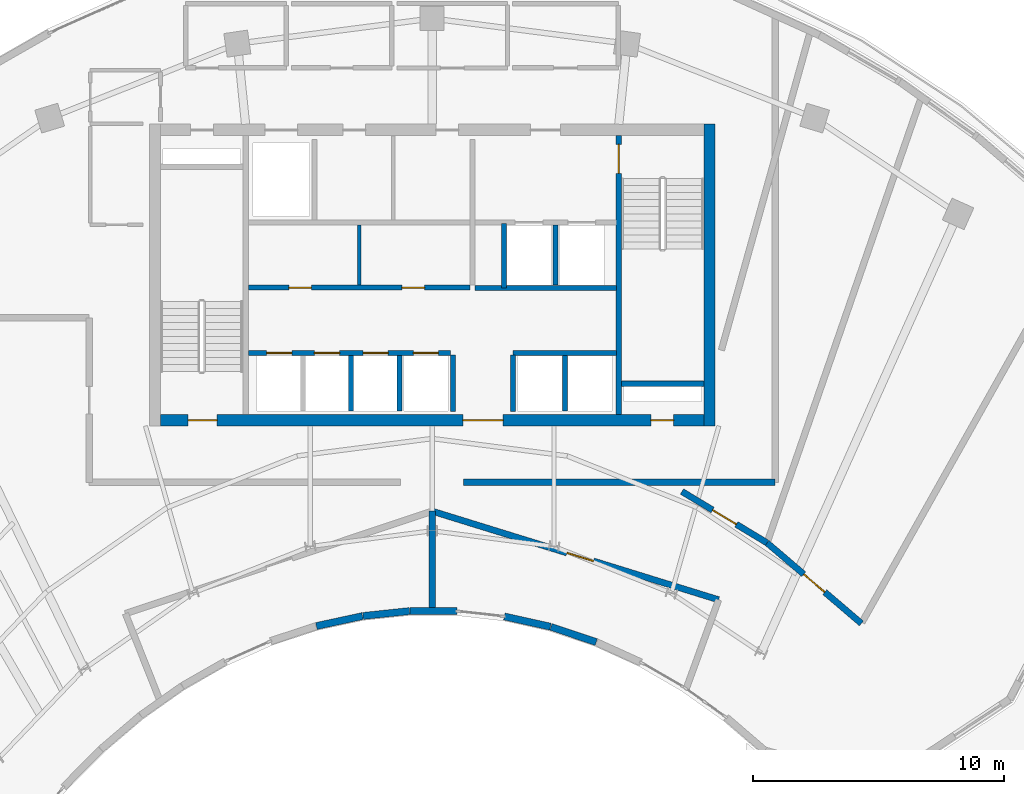
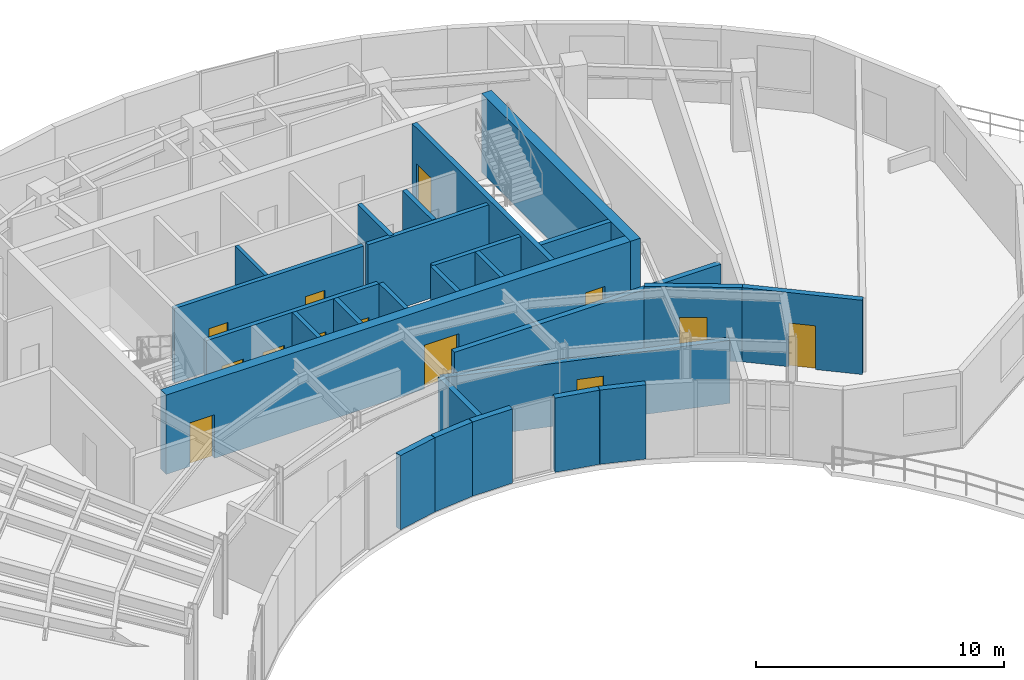
# One storey, part 8 of 15: 26 walls, 13 doors, 13 openings.
"""IFC4 building model written with IfcOpenShell, lengths in metres."""

from ifc_helpers import new_model, si_unit, direction, frame, frame_2d, origin, place, context, subcontext, project, spatial, rectangle, extrude, source, transform, mapped, material, layer, layer_set, type_object, type_shapes, element, fill, save


model = new_model("IFC4")

# Units and contexts
model_context = context("Model", 3, precision=1e-05, world=origin(), true_north=direction((0.0, 1.0)))
body_context = subcontext(model_context, "Body", "Model", "MODEL_VIEW")
ifc_project = project(units=[si_unit("LENGTHUNIT", "METRE"), si_unit("AREAUNIT", "SQUARE_METRE"), si_unit("VOLUMEUNIT", "CUBIC_METRE"), si_unit("PLANEANGLEUNIT", "RADIAN"), si_unit("MASSUNIT", "GRAM", prefix="KILO")], contexts=[model_context])

# Site, building, storey
site_placement = place(None, origin())
site = spatial("IfcSite", under=ifc_project, at=site_placement, CompositionType="ELEMENT")
building_placement = place(site_placement, origin())
building = spatial("IfcBuilding", under=site, at=building_placement, Name="Breltana Convention Tower", CompositionType="ELEMENT")
storey_placement = place(building_placement, frame((0.0, 0.0, 231.300048828125)))
storey = spatial("IfcBuildingStorey", under=building, at=storey_placement, Name="L56", CompositionType="ELEMENT", Elevation=231.300048828125)

# Walls
ifc_material_1 = material(Name="Concrete C50/60", Category="concrete")
ifc_layer_1 = layer(ifc_material_1, 0.39990234375, Name="Concrete C50/60")
ifc_layer_set_1 = layer_set([ifc_layer_1], Name="Concrete C50/60")
wall_type_1 = type_object("IfcWallType", Name="SW-CORE-400", PredefinedType="SHEAR", material=ifc_layer_set_1)
shared_shape_1 = source(origin(), body_context, "Body", "SweptSolid", [
    extrude(rectangle(XDim=3.27001953125, YDim=0.219970703125, at=frame_2d((1.635009765625, 0.0))), origin(), (0.0, 0.0, 1.0), 3.89990234375),
])
wall_1_placement = place(storey_placement, frame((55.530029296875, 61.889892578125, 0.0), z_axis=(0.0, 0.0, 1.0), x_axis=(1.0, 0.0, 0.0)))
element("IfcWall", 1, at=wall_1_placement, inside=storey, type_object=wall_type_1, Name="L56 ST-2 Stairwell South Bearing Wall", PredefinedType="SHEAR", context=body_context, shape_type="MappedRepresentation", body=[
    mapped(shared_shape_1, transform((0.0, 0.0, 0.0), scale=1.0)),
])
ifc_material_2 = material(Name="Concrete C60/75", Category="concrete")
ifc_layer_2 = layer(ifc_material_2, 0.449951171875, Name="Concrete C60/75")
ifc_layer_set_2 = layer_set([ifc_layer_2], Name="Concrete C60/75")
wall_type_2 = type_object("IfcWallType", Name="SW-CORE-450", PredefinedType="SHEAR", material=ifc_layer_set_2)
shared_shape_2 = source(origin(), body_context, "Body", "SweptSolid", [
    extrude(rectangle(XDim=12.0, YDim=0.449951171875, at=frame_2d((6.0, 0.0))), origin(), (0.0, 0.0, 1.0), 3.89990234375),
])
wall_2_placement = place(storey_placement, frame((59.02490234375, 60.199951171875, 0.0), z_axis=(0.0, 0.0, 1.0), x_axis=(0.0, 1.0, 0.0)))
element("IfcWall", 2, at=wall_2_placement, inside=storey, type_object=wall_type_2, Name="L56 East Core Shear Wall", PredefinedType="SHEAR", context=body_context, shape_type="MappedRepresentation", body=[
    mapped(shared_shape_2, transform((0.0, 0.0, 0.0), scale=1.0)),
])

# Wall, openings, doors
shared_shape_3 = source(origin(), body_context, "Body", "SweptSolid", [
    extrude(rectangle(XDim=21.60009765625, YDim=0.449951171875, at=frame_2d((10.800048828125, 0.0))), origin(), (0.0, 0.0, 1.0), 3.89990234375),
])
wall_3_placement = place(storey_placement, frame((37.199951171875, 60.425048828125, 0.0), z_axis=(0.0, 0.0, 1.0), x_axis=(1.0, 0.0, 0.0)))
wall_3 = element("IfcWall", 3, at=wall_3_placement, inside=storey, type_object=wall_type_2, Name="L56 South Core Shear Wall", PredefinedType="SHEAR", context=body_context, shape_type="MappedRepresentation", body=[
    mapped(shared_shape_3, transform((0.0, 0.0, 0.0), scale=1.0)),
])
opening_1_placement = place(wall_3_placement, frame((1.10009765625, 0.0, 0.0)))
opening_1 = element("IfcOpeningElement", 4, at=opening_1_placement, cuts=wall_3, Name="Opening D-11", PredefinedType="OPENING", context=body_context, shape_type="SweptSolid", body=[
    extrude(rectangle(XDim=1.14990234375, YDim=2.14990234375, at=frame_2d((0.574951171875, 1.074951171875))), frame((0.0, 0.23486328125, 0.0), z_axis=(0.0, -1.0, 0.0), x_axis=(1.0, 0.0, 0.0)), (0.0, 0.0, 1.0), 0.469970703125),
])
opening_2_placement = place(wall_3_placement, frame((19.5, 0.0, 0.0)))
opening_2 = element("IfcOpeningElement", 5, at=opening_2_placement, cuts=wall_3, Name="Opening D-18", PredefinedType="OPENING", context=body_context, shape_type="SweptSolid", body=[
    extrude(rectangle(XDim=0.89990234375, YDim=2.10009765625, at=frame_2d((0.449951171875, 1.050048828125))), frame((0.0, 0.23486328125, 0.0), z_axis=(0.0, -1.0, 0.0), x_axis=(1.0, 0.0, 0.0)), (0.0, 0.0, 1.0), 0.469970703125),
])
opening_3_placement = place(wall_3_placement, frame((12.02001953125, 0.0, 0.0)))
opening_3 = element("IfcOpeningElement", 6, at=opening_3_placement, cuts=wall_3, Name="Opening D-02", PredefinedType="OPENING", context=body_context, shape_type="SweptSolid", body=[
    extrude(rectangle(XDim=1.60009765625, YDim=2.14990234375, at=frame_2d((0.800048828125, 1.074951171875))), frame((0.0, 0.23486328125, 0.0), z_axis=(0.0, -1.0, 0.0), x_axis=(1.0, 0.0, 0.0)), (0.0, 0.0, 1.0), 0.469970703125),
])
ifc_material_3 = material(Name="Steel Stair Exit Door", Category="steel")
door_type_1 = type_object("IfcDoorType", Name="DR-FD120-1150", OperationType="NOTDEFINED", PredefinedType="DOOR", material=ifc_material_3)
shared_shape_4 = source(origin(), body_context, "Body", "SweptSolid", [
    extrude(rectangle(XDim=1.14990234375, YDim=2.14990234375, at=frame_2d((0.574951171875, 1.074951171875))), frame((0.0, 0.02490234375, 0.0), z_axis=(0.0, -1.0, 0.0), x_axis=(1.0, 0.0, 0.0)), (0.0, 0.0, 1.0), 0.050048828125),
])
type_shapes(door_type_1, [shared_shape_4])
door_1_placement = place(opening_1_placement, origin())
door_1 = element("IfcDoor", 7, at=door_1_placement, inside=storey, type_object=door_type_1, Name="L56 interior door D-L56-ST1", OperationType="SINGLE_SWING_LEFT", OverallHeight=2.14990234375, OverallWidth=1.14990234375, PredefinedType="DOOR", context=body_context, shape_type="MappedRepresentation", body=[
    mapped(shared_shape_4, transform((0.0, 0.0, 0.0), scale=1.0)),
])
fill(opening_1, door_1)
ifc_material_4 = material(Name="Steel Riser Fire Door", Category="steel")
door_type_2 = type_object("IfcDoorType", Name="DR-FD60-900", OperationType="NOTDEFINED", PredefinedType="DOOR", material=ifc_material_4)
shared_shape_5 = source(origin(), body_context, "Body", "SweptSolid", [
    extrude(rectangle(XDim=0.89990234375, YDim=2.10009765625, at=frame_2d((0.449951171875, 1.050048828125))), frame((0.0, 0.02490234375, 0.0), z_axis=(0.0, -1.0, 0.0), x_axis=(1.0, 0.0, 0.0)), (0.0, 0.0, 1.0), 0.050048828125),
])
type_shapes(door_type_2, [shared_shape_5])
door_2_placement = place(opening_2_placement, origin())
door_2 = element("IfcDoor", 8, at=door_2_placement, inside=storey, type_object=door_type_2, Name="L56 Core Riser Access Door D-L56-RS2", OperationType="SINGLE_SWING_RIGHT", OverallHeight=2.10009765625, OverallWidth=0.89990234375, PredefinedType="DOOR", context=body_context, shape_type="MappedRepresentation", body=[
    mapped(shared_shape_5, transform((0.0, 0.0, 0.0), scale=1.0)),
])
fill(opening_2, door_2)
ifc_material_5 = material(Name="Steel Glazed Smoke-Control Door", Category="steel")
door_type_3 = type_object("IfcDoorType", Name="DR-DBL-FD90-1600", OperationType="DOUBLE_DOOR_SINGLE_SWING", PredefinedType="DOOR", material=ifc_material_5)
shared_shape_6 = source(origin(), body_context, "Body", "SweptSolid", [
    extrude(rectangle(XDim=1.60009765625, YDim=2.14990234375, at=frame_2d((0.800048828125, 1.074951171875))), frame((0.0, 0.02490234375, 0.0), z_axis=(0.0, -1.0, 0.0), x_axis=(1.0, 0.0, 0.0)), (0.0, 0.0, 1.0), 0.050048828125),
])
type_shapes(door_type_3, [shared_shape_6])
door_3_placement = place(opening_3_placement, origin())
door_3 = element("IfcDoor", 9, at=door_3_placement, inside=storey, type_object=door_type_3, Name="L56 interior door D-L56-LLB-S", OperationType="DOUBLE_DOOR_SINGLE_SWING", OverallHeight=2.14990234375, OverallWidth=1.60009765625, PredefinedType="DOOR", context=body_context, shape_type="MappedRepresentation", body=[
    mapped(shared_shape_6, transform((0.0, 0.0, 0.0), scale=1.0)),
])
fill(opening_3, door_3)

# Wall, opening, door
shared_shape_7 = source(origin(), body_context, "Body", "SweptSolid", [
    extrude(rectangle(XDim=11.10009765625, YDim=0.219970703125, at=frame_2d((5.550048828125, 0.0))), origin(), (0.0, 0.0, 1.0), 3.89990234375),
])
wall_4_placement = place(storey_placement, frame((55.419921875, 60.64990234375, 0.0), z_axis=(0.0, 0.0, 1.0), x_axis=(0.0, 1.0, 0.0)))
wall_4 = element("IfcWall", 10, at=wall_4_placement, inside=storey, type_object=wall_type_1, Name="L56 Core East Stair Spine Wall", PredefinedType="SHEAR", context=body_context, shape_type="MappedRepresentation", body=[
    mapped(shared_shape_7, transform((0.0, 0.0, 0.0), scale=1.0)),
])
opening_4_placement = place(wall_4_placement, frame((9.594970703125, 0.0, 0.0)))
opening_4 = element("IfcOpeningElement", 11, at=opening_4_placement, cuts=wall_4, Name="Opening D-11", PredefinedType="OPENING", context=body_context, shape_type="SweptSolid", body=[
    extrude(rectangle(XDim=1.14990234375, YDim=2.14990234375, at=frame_2d((0.574951171875, 1.074951171875))), frame((0.0, 0.1201171875, 0.0), z_axis=(0.0, -1.0, 0.0), x_axis=(1.0, 0.0, 0.0)), (0.0, 0.0, 1.0), 0.239990234375),
])
door_4_placement = place(opening_4_placement, origin())
door_4 = element("IfcDoor", 12, at=door_4_placement, inside=storey, type_object=door_type_1, Name="L56 interior door D-L56-ST2", OperationType="SINGLE_SWING_LEFT", OverallHeight=2.14990234375, OverallWidth=1.14990234375, PredefinedType="DOOR", context=body_context, shape_type="MappedRepresentation", body=[
    mapped(shared_shape_4, transform((0.0, 0.0, 0.0), scale=1.0)),
])
fill(opening_4, door_4)

# Walls
ifc_material_6 = material(Name="Limestone Buff Insulated Wall", Category="masonry")
ifc_layer_3 = layer(ifc_material_6, 0.280029296875, Name="Limestone Buff Insulated Wall")
ifc_layer_set_3 = layer_set([ifc_layer_3], Name="Limestone Buff Insulated Wall")
wall_type_3 = type_object("IfcWallType", Name="WL-EXT-NOSE-280", PredefinedType="SOLIDWALL", material=ifc_layer_set_3)
shared_shape_8 = source(origin(), body_context, "Body", "SweptSolid", [
    extrude(rectangle(XDim=1.901123046875, YDim=0.280029296875, at=frame_2d((0.95068359375, 0.0))), origin(), (0.0, 0.0, 1.0), 3.64990234375),
])
wall_5_placement = place(storey_placement, frame((54.52294921875, 51.608154296875, 0.0), z_axis=(0.0, 0.0, 1.0), x_axis=(-0.94793587841, 0.318461254194, 0.0)))
element("IfcWall", 13, at=wall_5_placement, inside=storey, type_object=wall_type_3, Name="L56 curved limestone nose wall E8", PredefinedType="SOLIDWALL", context=body_context, shape_type="MappedRepresentation", body=[
    mapped(shared_shape_8, transform((0.0, 0.0, 0.0), scale=1.0)),
])
shared_shape_9 = source(origin(), body_context, "Body", "SweptSolid", [
    extrude(rectangle(XDim=1.877685546875, YDim=0.280029296875, at=frame_2d((0.93896484375, 0.0))), origin(), (0.0, 0.0, 1.0), 3.64990234375),
])
wall_6_placement = place(storey_placement, frame((52.702392578125, 52.21875, 0.0), z_axis=(0.0, 0.0, 1.0), x_axis=(-0.976138082714, 0.217150739061, 0.0)))
element("IfcWall", 14, at=wall_6_placement, inside=storey, type_object=wall_type_3, Name="L56 curved limestone nose wall E9", PredefinedType="SOLIDWALL", context=body_context, shape_type="MappedRepresentation", body=[
    mapped(shared_shape_9, transform((0.0, 0.0, 0.0), scale=1.0)),
])
shared_shape_10 = source(origin(), body_context, "Body", "SweptSolid", [
    extrude(rectangle(XDim=1.858154296875, YDim=0.280029296875, at=frame_2d((0.92919921875, 0.0))), origin(), (0.0, 0.0, 1.0), 3.64990234375),
])
wall_7_placement = place(storey_placement, frame((48.9794921875, 52.837890625, 0.0), z_axis=(0.0, 0.0, 1.0), x_axis=(-0.999995433965, 0.003021928128, 0.0)))
element("IfcWall", 15, at=wall_7_placement, inside=storey, type_object=wall_type_3, Name="L56 curved limestone nose wall E10", PredefinedType="SOLIDWALL", context=body_context, shape_type="MappedRepresentation", body=[
    mapped(shared_shape_10, transform((0.0, 0.0, 0.0), scale=1.0)),
])
shared_shape_11 = source(origin(), body_context, "Body", "SweptSolid", [
    extrude(rectangle(XDim=1.8623046875, YDim=0.280029296875, at=frame_2d((0.93115234375, 0.0))), origin(), (0.0, 0.0, 1.0), 3.64990234375),
])
wall_8_placement = place(storey_placement, frame((47.101806640625, 52.84228515625, 0.0), z_axis=(0.0, 0.0, 1.0), x_axis=(-0.994430497743, -0.1053944266, 0.0)))
element("IfcWall", 16, at=wall_8_placement, inside=storey, type_object=wall_type_3, Name="L56 curved limestone nose wall E11", PredefinedType="SOLIDWALL", context=body_context, shape_type="MappedRepresentation", body=[
    mapped(shared_shape_11, transform((0.0, 0.0, 0.0), scale=1.0)),
])
shared_shape_12 = source(origin(), body_context, "Body", "SweptSolid", [
    extrude(rectangle(XDim=1.876708984375, YDim=0.280029296875, at=frame_2d((0.9384765625, 0.0))), origin(), (0.0, 0.0, 1.0), 3.64990234375),
])
wall_9_placement = place(storey_placement, frame((45.230712890625, 52.642822265625, 0.0), z_axis=(0.0, 0.0, 1.0), x_axis=(-0.97737202312, -0.211527606761, 0.0)))
element("IfcWall", 17, at=wall_9_placement, inside=storey, type_object=wall_type_3, Name="L56 curved limestone nose wall E12", PredefinedType="SOLIDWALL", context=body_context, shape_type="MappedRepresentation", body=[
    mapped(shared_shape_12, transform((0.0, 0.0, 0.0), scale=1.0)),
])
ifc_material_7 = material(Name="Autoclaved Aerated Concrete Block", Category="concrete")
ifc_layer_4 = layer(ifc_material_7, 0.199951171875, Name="Autoclaved Aerated Concrete Block")
ifc_layer_set_4 = layer_set([ifc_layer_4], Name="Autoclaved Aerated Concrete Block")
wall_type_4 = type_object("IfcWallType", Name="WL-SHAFT-200", PredefinedType="SOLIDWALL", material=ifc_layer_set_4)
shared_shape_13 = source(origin(), body_context, "Body", "SweptSolid", [
    extrude(rectangle(XDim=2.239990234375, YDim=0.199951171875, at=frame_2d((1.1201171875, 0.0))), origin(), (0.0, 0.0, 1.0), 3.64990234375),
])
for number, where, z_axis, x_axis, name in (
    (18, (48.820068359375, 60.780029296875, 0.0), (0.0, 0.0, 1.0), (0.0, 1.0, 0.0), "L56 interior partition W-L56-PORT-W"),
    (19, (51.219970703125, 60.780029296875, 0.0), (0.0, 0.0, 1.0), (0.0, 1.0, 0.0), "L56 interior partition W-L56-PORT-E"),
):
    element("IfcWall", number, at=place(storey_placement, frame(where, z_axis=z_axis, x_axis=x_axis)), inside=storey, type_object=wall_type_4, Name=name, PredefinedType="SOLIDWALL", context=body_context, shape_type="MappedRepresentation", body=[
        mapped(shared_shape_13, transform((0.0, 0.0, 0.0), scale=1.0)),
    ])
shared_shape_14 = source(origin(), body_context, "Body", "SweptSolid", [
    extrude(rectangle(XDim=5.6201171875, YDim=0.199951171875, at=frame_2d((2.81005859375, 0.0))), origin(), (0.0, 0.0, 1.0), 3.64990234375),
])
wall_10_placement = place(storey_placement, frame((49.699951171875, 65.679931640625, 0.0), z_axis=(0.0, 0.0, 1.0), x_axis=(1.0, 0.0, 0.0)))
element("IfcWall", 20, at=wall_10_placement, inside=storey, type_object=wall_type_4, Name="L56 interior partition W-L56-FL-S", PredefinedType="SOLIDWALL", context=body_context, shape_type="MappedRepresentation", body=[
    mapped(shared_shape_14, transform((0.0, 0.0, 0.0), scale=1.0)),
])
shared_shape_15 = source(origin(), body_context, "Body", "SweptSolid", [
    extrude(rectangle(XDim=2.580078125, YDim=0.199951171875, at=frame_2d((1.2900390625, 0.0))), origin(), (0.0, 0.0, 1.0), 3.64990234375),
])
wall_11_placement = place(storey_placement, frame((50.85009765625, 65.679931640625, 0.0), z_axis=(0.0, 0.0, 1.0), x_axis=(0.0, 1.0, 0.0)))
element("IfcWall", 21, at=wall_11_placement, inside=storey, type_object=wall_type_4, Name="L56 interior partition W-L56-FL-W", PredefinedType="SOLIDWALL", context=body_context, shape_type="MappedRepresentation", body=[
    mapped(shared_shape_15, transform((0.0, 0.0, 0.0), scale=1.0)),
])
shared_shape_16 = source(origin(), body_context, "Body", "SweptSolid", [
    extrude(rectangle(XDim=2.39990234375, YDim=0.199951171875, at=frame_2d((1.199951171875, 0.0))), origin(), (0.0, 0.0, 1.0), 3.64990234375),
])
wall_12_placement = place(storey_placement, frame((52.89990234375, 65.800048828125, 0.0), z_axis=(0.0, 0.0, 1.0), x_axis=(0.0, 1.0, 0.0)))
element("IfcWall", 22, at=wall_12_placement, inside=storey, type_object=wall_type_4, Name="L56 interior partition W-L56-FL-DIV", PredefinedType="SOLIDWALL", context=body_context, shape_type="MappedRepresentation", body=[
    mapped(shared_shape_16, transform((0.0, 0.0, 0.0), scale=1.0)),
])

# Wall, openings, doors
shared_shape_17 = source(origin(), body_context, "Body", "SweptSolid", [
    extrude(rectangle(XDim=8.800048828125, YDim=0.199951171875, at=frame_2d((4.39990234375, 0.0))), origin(), (0.0, 0.0, 1.0), 3.64990234375),
])
wall_13_placement = place(storey_placement, frame((40.699951171875, 65.699951171875, 0.0), z_axis=(0.0, 0.0, 1.0), x_axis=(1.0, 0.0, 0.0)))
wall_13 = element("IfcWall", 23, at=wall_13_placement, inside=storey, type_object=wall_type_4, Name="L56 interior partition W-L56-SH-M-FRONT", PredefinedType="SOLIDWALL", context=body_context, shape_type="MappedRepresentation", body=[
    mapped(shared_shape_17, transform((0.0, 0.0, 0.0), scale=1.0)),
])
opening_5_placement = place(wall_13_placement, frame((1.60009765625, 0.0, 0.0)))
opening_5 = element("IfcOpeningElement", 24, at=opening_5_placement, cuts=wall_13, Name="Opening D-18", PredefinedType="OPENING", context=body_context, shape_type="SweptSolid", body=[
    extrude(rectangle(XDim=0.89990234375, YDim=2.10009765625, at=frame_2d((0.449951171875, 1.050048828125))), frame((0.0, 0.10986328125, 0.0), z_axis=(0.0, -1.0, 0.0), x_axis=(1.0, 0.0, 0.0)), (0.0, 0.0, 1.0), 0.219970703125),
])
opening_6_placement = place(wall_13_placement, frame((6.10009765625, 0.0, 0.0)))
opening_6 = element("IfcOpeningElement", 25, at=opening_6_placement, cuts=wall_13, Name="Opening D-18", PredefinedType="OPENING", context=body_context, shape_type="SweptSolid", body=[
    extrude(rectangle(XDim=0.89990234375, YDim=2.10009765625, at=frame_2d((0.449951171875, 1.050048828125))), frame((0.0, 0.10986328125, 0.0), z_axis=(0.0, -1.0, 0.0), x_axis=(1.0, 0.0, 0.0)), (0.0, 0.0, 1.0), 0.219970703125),
])
door_5_placement = place(opening_5_placement, origin())
door_5 = element("IfcDoor", 26, at=door_5_placement, inside=storey, type_object=door_type_2, Name="L56 interior door D-L56-LV7-B2A", OperationType="SINGLE_SWING_RIGHT", OverallHeight=2.10009765625, OverallWidth=0.89990234375, PredefinedType="DOOR", context=body_context, shape_type="MappedRepresentation", body=[
    mapped(shared_shape_5, transform((0.0, 0.0, 0.0), scale=1.0)),
])
fill(opening_5, door_5)
door_6_placement = place(opening_6_placement, origin())
door_6 = element("IfcDoor", 27, at=door_6_placement, inside=storey, type_object=door_type_2, Name="L56 interior door D-L56-LV7-B2B", OperationType="SINGLE_SWING_LEFT", OverallHeight=2.10009765625, OverallWidth=0.89990234375, PredefinedType="DOOR", context=body_context, shape_type="MappedRepresentation", body=[
    mapped(shared_shape_5, transform((0.0, 0.0, 0.0), scale=1.0)),
])
fill(opening_6, door_6)

shared_shape_18 = source(origin(), body_context, "Body", "SweptSolid", [
    extrude(rectangle(XDim=8.02001953125, YDim=0.199951171875, at=frame_2d((4.010009765625, 0.0))), origin(), (0.0, 0.0, 1.0), 3.64990234375),
])
wall_14_placement = place(storey_placement, frame((40.699951171875, 63.10009765625, 0.0), z_axis=(0.0, 0.0, 1.0), x_axis=(1.0, 0.0, 0.0)))
wall_14 = element("IfcWall", 28, at=wall_14_placement, inside=storey, type_object=wall_type_4, Name="L56 interior partition W-L56-SH-S-FRONT", PredefinedType="SOLIDWALL", context=body_context, shape_type="MappedRepresentation", body=[
    mapped(shared_shape_18, transform((0.0, 0.0, 0.0), scale=1.0)),
])
opening_7_placement = place(wall_14_placement, frame((0.719970703125, 0.0, 0.0)))
opening_7 = element("IfcOpeningElement", 29, at=opening_7_placement, cuts=wall_14, Name="Opening LD-04", PredefinedType="OPENING", context=body_context, shape_type="SweptSolid", body=[
    extrude(rectangle(XDim=1.0, YDim=2.14990234375, at=frame_2d((0.5, 1.074951171875))), frame((0.0, 0.10986328125, 0.0), z_axis=(0.0, -1.0, 0.0), x_axis=(1.0, 0.0, 0.0)), (0.0, 0.0, 1.0), 0.219970703125),
])
opening_8_placement = place(wall_14_placement, frame((2.6201171875, 0.0, 0.0)))
opening_8 = element("IfcOpeningElement", 30, at=opening_8_placement, cuts=wall_14, Name="Opening LD-04", PredefinedType="OPENING", context=body_context, shape_type="SweptSolid", body=[
    extrude(rectangle(XDim=1.0, YDim=2.14990234375, at=frame_2d((0.5, 1.074951171875))), frame((0.0, 0.10986328125, 0.0), z_axis=(0.0, -1.0, 0.0), x_axis=(1.0, 0.0, 0.0)), (0.0, 0.0, 1.0), 0.219970703125),
])
opening_9_placement = place(wall_14_placement, frame((4.550048828125, 0.0, 0.0)))
opening_9 = element("IfcOpeningElement", 31, at=opening_9_placement, cuts=wall_14, Name="Opening LD-04", PredefinedType="OPENING", context=body_context, shape_type="SweptSolid", body=[
    extrude(rectangle(XDim=1.0, YDim=2.14990234375, at=frame_2d((0.5, 1.074951171875))), frame((0.0, 0.10986328125, 0.0), z_axis=(0.0, -1.0, 0.0), x_axis=(1.0, 0.0, 0.0)), (0.0, 0.0, 1.0), 0.219970703125),
])
opening_10_placement = place(wall_14_placement, frame((6.550048828125, 0.0, 0.0)))
opening_10 = element("IfcOpeningElement", 32, at=opening_10_placement, cuts=wall_14, Name="Opening LD-04", PredefinedType="OPENING", context=body_context, shape_type="SweptSolid", body=[
    extrude(rectangle(XDim=1.0, YDim=2.14990234375, at=frame_2d((0.5, 1.074951171875))), frame((0.0, 0.10986328125, 0.0), z_axis=(0.0, -1.0, 0.0), x_axis=(1.0, 0.0, 0.0)), (0.0, 0.0, 1.0), 0.219970703125),
])
ifc_material_8 = material(Name="Stainless Steel Brushed", Category="steel")
door_type_4 = type_object("IfcDoorType", Name="DR-LD-PAX-1000", OperationType="DOUBLE_DOOR_SLIDING", PredefinedType="DOOR", material=ifc_material_8)
shared_shape_19 = source(origin(), body_context, "Body", "SweptSolid", [
    extrude(rectangle(XDim=1.0, YDim=2.14990234375, at=frame_2d((0.5, 1.074951171875))), frame((0.0, 0.02490234375, 0.0), z_axis=(0.0, -1.0, 0.0), x_axis=(1.0, 0.0, 0.0)), (0.0, 0.0, 1.0), 0.050048828125),
])
type_shapes(door_type_4, [shared_shape_19])
door_7_placement = place(opening_7_placement, origin())
door_7 = element("IfcDoor", 33, at=door_7_placement, inside=storey, type_object=door_type_4, Name="L56 Lift Landing Door D-L56-LD-S1", OperationType="DOUBLE_DOOR_SLIDING", OverallHeight=2.14990234375, OverallWidth=1.0, PredefinedType="DOOR", context=body_context, shape_type="MappedRepresentation", body=[
    mapped(shared_shape_19, transform((0.0, 0.0, 0.0), scale=1.0)),
])
fill(opening_7, door_7)
door_8_placement = place(opening_8_placement, origin())
door_8 = element("IfcDoor", 34, at=door_8_placement, inside=storey, type_object=door_type_4, Name="L56 Lift Landing Door D-L56-LD-S2", OperationType="DOUBLE_DOOR_SLIDING", OverallHeight=2.14990234375, OverallWidth=1.0, PredefinedType="DOOR", context=body_context, shape_type="MappedRepresentation", body=[
    mapped(shared_shape_19, transform((0.0, 0.0, 0.0), scale=1.0)),
])
fill(opening_8, door_8)
door_9_placement = place(opening_9_placement, origin())
door_9 = element("IfcDoor", 35, at=door_9_placement, inside=storey, type_object=door_type_4, Name="L56 Lift Landing Door D-L56-LD-S3", OperationType="DOUBLE_DOOR_SLIDING", OverallHeight=2.14990234375, OverallWidth=1.0, PredefinedType="DOOR", context=body_context, shape_type="MappedRepresentation", body=[
    mapped(shared_shape_19, transform((0.0, 0.0, 0.0), scale=1.0)),
])
fill(opening_9, door_9)
door_10_placement = place(opening_10_placement, origin())
door_10 = element("IfcDoor", 36, at=door_10_placement, inside=storey, type_object=door_type_4, Name="L56 Lift Landing Door D-L56-LD-S4", OperationType="DOUBLE_DOOR_SLIDING", OverallHeight=2.14990234375, OverallWidth=1.0, PredefinedType="DOOR", context=body_context, shape_type="MappedRepresentation", body=[
    mapped(shared_shape_19, transform((0.0, 0.0, 0.0), scale=1.0)),
])
fill(opening_10, door_10)

# Walls
shared_shape_20 = source(origin(), body_context, "Body", "SweptSolid", [
    extrude(rectangle(XDim=4.10009765625, YDim=0.199951171875, at=frame_2d((2.050048828125, 0.0))), origin(), (0.0, 0.0, 1.0), 3.64990234375),
])
wall_15_placement = place(storey_placement, frame((51.219970703125, 63.10009765625, 0.0), z_axis=(0.0, 0.0, 1.0), x_axis=(1.0, 0.0, 0.0)))
element("IfcWall", 37, at=wall_15_placement, inside=storey, type_object=wall_type_4, Name="L56 interior partition W-L56-SH-X-FRONT", PredefinedType="SOLIDWALL", context=body_context, shape_type="MappedRepresentation", body=[
    mapped(shared_shape_20, transform((0.0, 0.0, 0.0), scale=1.0)),
])
shared_shape_21 = source(origin(), body_context, "Body", "SweptSolid", [
    extrude(rectangle(XDim=2.199951171875, YDim=0.199951171875, at=frame_2d((1.10009765625, 0.0))), origin(), (0.0, 0.0, 1.0), 3.64990234375),
])
for number, where, z_axis, x_axis, name in (
    (38, (44.77001953125, 60.800048828125, 0.0), (0.0, 0.0, 1.0), (0.0, 1.0, 0.0), "L56 interior partition W-L56-SH-S-DIV2"),
    (39, (46.699951171875, 60.800048828125, 0.0), (0.0, 0.0, 1.0), (0.0, 1.0, 0.0), "L56 interior partition W-L56-SH-S-DIV3"),
    (40, (53.280029296875, 60.800048828125, 0.0), (0.0, 0.0, 1.0), (0.0, 1.0, 0.0), "L56 interior partition W-L56-SH-X-DIV"),
):
    element("IfcWall", number, at=place(storey_placement, frame(where, z_axis=z_axis, x_axis=x_axis)), inside=storey, type_object=wall_type_4, Name=name, PredefinedType="SOLIDWALL", context=body_context, shape_type="MappedRepresentation", body=[
        mapped(shared_shape_21, transform((0.0, 0.0, 0.0), scale=1.0)),
    ])
ifc_material_9 = material(Name="Gypsum Acoustic Double Stud Wall")
ifc_layer_5 = layer(ifc_material_9, 0.25, Name="Gypsum Acoustic Double Stud Wall")
ifc_layer_set_5 = layer_set([ifc_layer_5], Name="Gypsum Acoustic Double Stud Wall")
wall_type_5 = type_object("IfcWallType", Name="WL-ACOUSTIC-250", PredefinedType="PARTITIONING", material=ifc_layer_set_5)
shared_shape_22 = source(origin(), body_context, "Body", "SweptSolid", [
    extrude(rectangle(XDim=12.389892578125, YDim=0.25, at=frame_2d((6.19482421875, 0.0))), origin(), (0.0, 0.0, 1.0), 3.217041015625),
])
wall_16_placement = place(storey_placement, frame((49.25, 57.9599609375, 0.0), z_axis=(0.0, 0.0, 1.0), x_axis=(1.0, 0.0, 0.0)))
element("IfcWall", 41, at=wall_16_placement, inside=storey, type_object=wall_type_5, Name="L56 interior partition W-L56-Z45-CSE", PredefinedType="PARTITIONING", context=body_context, shape_type="MappedRepresentation", body=[
    mapped(shared_shape_22, transform((0.0, 0.0, 0.0), scale=1.0)),
])
ifc_material_10 = material(Name="Gypsum Acoustic Drywall Partition")
ifc_layer_6 = layer(ifc_material_10, 0.14990234375, Name="Gypsum Acoustic Drywall Partition")
ifc_layer_set_6 = layer_set([ifc_layer_6], Name="Gypsum Acoustic Drywall Partition")
wall_type_6 = type_object("IfcWallType", Name="WL-PART-150", PredefinedType="PARTITIONING", material=ifc_layer_set_6)
shared_shape_23 = source(origin(), body_context, "Body", "SweptSolid", [
    extrude(rectangle(XDim=2.39990234375, YDim=0.14990234375, at=frame_2d((1.199951171875, 0.0))), origin(), (0.0, 0.0, 1.0), 3.64990234375),
])
wall_17_placement = place(storey_placement, frame((45.10009765625, 65.800048828125, 0.0), z_axis=(0.0, 0.0, 1.0), x_axis=(0.0, 1.0, 0.0)))
element("IfcWall", 42, at=wall_17_placement, inside=storey, type_object=wall_type_6, Name="L56 interior partition W-L56-LV7-B2-DIV", PredefinedType="PARTITIONING", context=body_context, shape_type="MappedRepresentation", body=[
    mapped(shared_shape_23, transform((0.0, 0.0, 0.0), scale=1.0)),
])
shared_shape_24 = source(origin(), body_context, "Body", "SweptSolid", [
    extrude(rectangle(XDim=3.96240234375, YDim=0.25, at=frame_2d((1.981201171875, 0.0))), origin(), (0.0, 0.0, 1.0), 3.094970703125),
])
wall_18_placement = place(storey_placement, frame((48.0, 52.850830078125, 0.0), z_axis=(0.0, 0.0, 1.0), x_axis=(0.0, 1.0, 0.0)))
element("IfcWall", 43, at=wall_18_placement, inside=storey, type_object=wall_type_5, Name="L56 interior partition W-L56-ES1-RB", PredefinedType="PARTITIONING", context=body_context, shape_type="MappedRepresentation", body=[
    mapped(shared_shape_24, transform((0.0, 0.0, 0.0), scale=1.0)),
])

# Wall, opening, door
shared_shape_25 = source(origin(), body_context, "Body", "SweptSolid", [
    extrude(rectangle(XDim=11.92138671875, YDim=0.25, at=frame_2d((5.960693359375, 0.0))), origin(), (0.0, 0.0, 1.0), 3.094970703125),
])
wall_19_placement = place(storey_placement, frame((48.0, 56.813232421875, 0.0), z_axis=(0.0, 0.0, 1.0), x_axis=(0.955326235971, -0.295553350287, 0.0)))
wall_19 = element("IfcWall", 44, at=wall_19_placement, inside=storey, type_object=wall_type_5, Name="L56 interior partition W-L56-ES2-COR", PredefinedType="PARTITIONING", context=body_context, shape_type="MappedRepresentation", body=[
    mapped(shared_shape_25, transform((0.0, 0.0, 0.0), scale=1.0)),
])
opening_11_placement = place(wall_19_placement, frame((5.610595703125, 0.0, 0.0)))
opening_11 = element("IfcOpeningElement", 45, at=opening_11_placement, cuts=wall_19, Name="Opening D-12", PredefinedType="OPENING", context=body_context, shape_type="SweptSolid", body=[
    extrude(rectangle(XDim=1.10009765625, YDim=2.14990234375, at=frame_2d((0.550048828125, 1.074951171875))), frame((0.0, 0.135009765625, 0.0), z_axis=(0.0, -1.0, 0.0), x_axis=(1.0, 0.0, 0.0)), (0.0, 0.0, 1.0), 0.27001953125),
])
ifc_material_11 = material(Name="Timber Oak Acoustic Door", Category="wood")
door_type_5 = type_object("IfcDoorType", Name="DR-INT-1100", OperationType="NOTDEFINED", PredefinedType="DOOR", material=ifc_material_11)
shared_shape_26 = source(origin(), body_context, "Body", "SweptSolid", [
    extrude(rectangle(XDim=1.10009765625, YDim=2.14990234375, at=frame_2d((0.550048828125, 1.074951171875))), frame((0.0, 0.02490234375, 0.0), z_axis=(0.0, -1.0, 0.0), x_axis=(1.0, 0.0, 0.0)), (0.0, 0.0, 1.0), 0.050048828125),
])
type_shapes(door_type_5, [shared_shape_26])
door_11_placement = place(opening_11_placement, origin())
door_11 = element("IfcDoor", 46, at=door_11_placement, inside=storey, type_object=door_type_5, Name="L56 interior door D-L56-ES2", OperationType="SINGLE_SWING_LEFT", OverallHeight=2.14990234375, OverallWidth=1.10009765625, PredefinedType="DOOR", context=body_context, shape_type="MappedRepresentation", body=[
    mapped(shared_shape_26, transform((0.0, 0.0, 0.0), scale=1.0)),
])
fill(opening_11, door_11)

shared_shape_27 = source(origin(), body_context, "Body", "SweptSolid", [
    extrude(rectangle(XDim=3.95068359375, YDim=0.25, at=frame_2d((1.975341796875, 0.0))), origin(), (0.0, 0.0, 1.0), 3.64990234375),
])
wall_20_placement = place(storey_placement, frame((57.931884765625, 57.595703125, 0.0), z_axis=(0.0, 0.0, 1.0), x_axis=(0.856137696849, -0.51674775668, 0.0)))
wall_20 = element("IfcWall", 47, at=wall_20_placement, inside=storey, type_object=wall_type_5, Name="L56 interior partition W-L56-EXER1-COR", PredefinedType="PARTITIONING", context=body_context, shape_type="MappedRepresentation", body=[
    mapped(shared_shape_27, transform((0.0, 0.0, 0.0), scale=1.0)),
])
opening_12_placement = place(wall_20_placement, frame((1.42529296875, 0.0, 0.0)))
opening_12 = element("IfcOpeningElement", 48, at=opening_12_placement, cuts=wall_20, Name="Opening D-12", PredefinedType="OPENING", context=body_context, shape_type="SweptSolid", body=[
    extrude(rectangle(XDim=1.10009765625, YDim=2.14990234375, at=frame_2d((0.550048828125, 1.074951171875))), frame((0.0, 0.135009765625, 0.0), z_axis=(0.0, -1.0, 0.0), x_axis=(1.0, 0.0, 0.0)), (0.0, 0.0, 1.0), 0.27001953125),
])
door_12_placement = place(opening_12_placement, origin())
door_12 = element("IfcDoor", 49, at=door_12_placement, inside=storey, type_object=door_type_5, Name="L56 interior door D-L56-EXER1", OperationType="SINGLE_SWING_RIGHT", OverallHeight=2.14990234375, OverallWidth=1.10009765625, PredefinedType="DOOR", context=body_context, shape_type="MappedRepresentation", body=[
    mapped(shared_shape_26, transform((0.0, 0.0, 0.0), scale=1.0)),
])
fill(opening_12, door_12)

shared_shape_28 = source(origin(), body_context, "Body", "SweptSolid", [
    extrude(rectangle(XDim=4.934814453125, YDim=0.25, at=frame_2d((2.46728515625, 0.0))), origin(), (0.0, 0.0, 1.0), 3.64990234375),
])
wall_21_placement = place(storey_placement, frame((61.314208984375, 55.55419921875, 0.0), z_axis=(0.0, 0.0, 1.0), x_axis=(0.760547222161, -0.649282621716, 0.0)))
wall_21 = element("IfcWall", 50, at=wall_21_placement, inside=storey, type_object=wall_type_5, Name="L56 interior partition W-L56-EXER2-COR", PredefinedType="PARTITIONING", context=body_context, shape_type="MappedRepresentation", body=[
    mapped(shared_shape_28, transform((0.0, 0.0, 0.0), scale=1.0)),
])
opening_13_placement = place(wall_21_placement, frame((1.91748046875, 0.0, 0.0)))
opening_13 = element("IfcOpeningElement", 51, at=opening_13_placement, cuts=wall_21, Name="Opening D-12", PredefinedType="OPENING", context=body_context, shape_type="SweptSolid", body=[
    extrude(rectangle(XDim=1.10009765625, YDim=2.14990234375, at=frame_2d((0.550048828125, 1.074951171875))), frame((0.0, 0.135009765625, 0.0), z_axis=(0.0, -1.0, 0.0), x_axis=(1.0, 0.0, 0.0)), (0.0, 0.0, 1.0), 0.27001953125),
])
door_13_placement = place(opening_13_placement, origin())
door_13 = element("IfcDoor", 52, at=door_13_placement, inside=storey, type_object=door_type_5, Name="L56 interior door D-L56-EXER2", OperationType="SINGLE_SWING_LEFT", OverallHeight=2.14990234375, OverallWidth=1.10009765625, PredefinedType="DOOR", context=body_context, shape_type="MappedRepresentation", body=[
    mapped(shared_shape_26, transform((0.0, 0.0, 0.0), scale=1.0)),
])
fill(opening_13, door_13)

save(model, "model.ifc")
